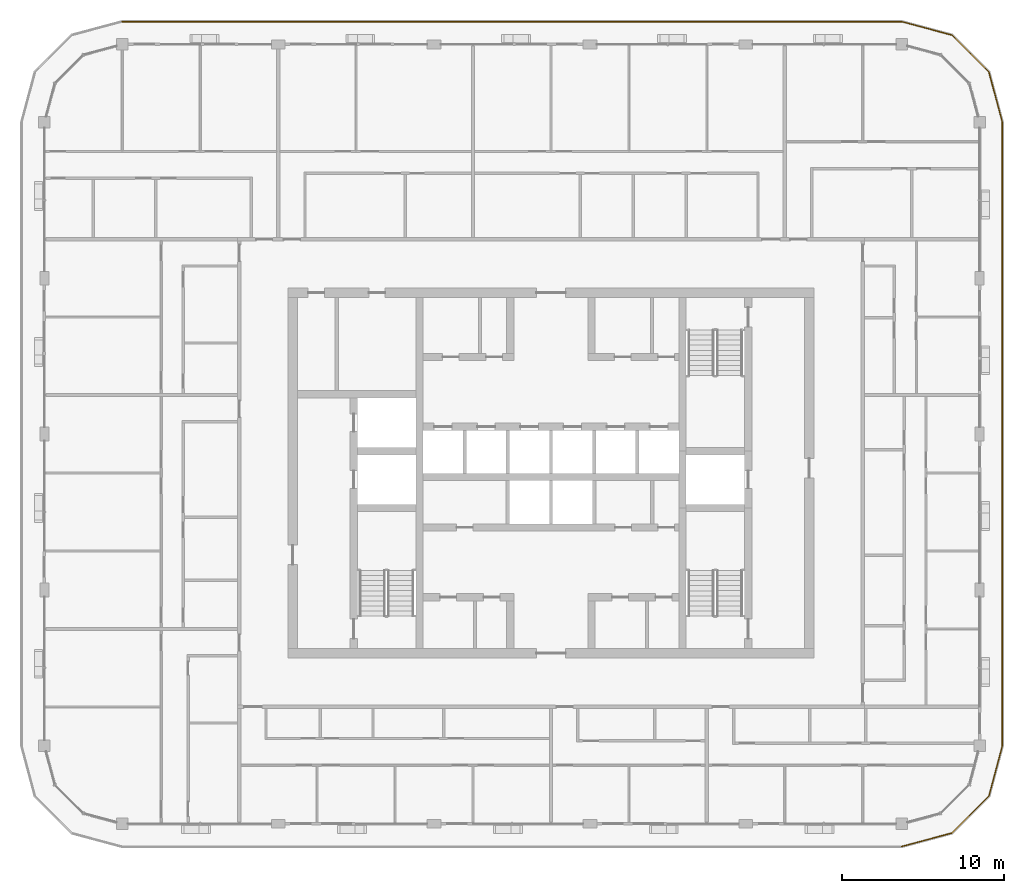
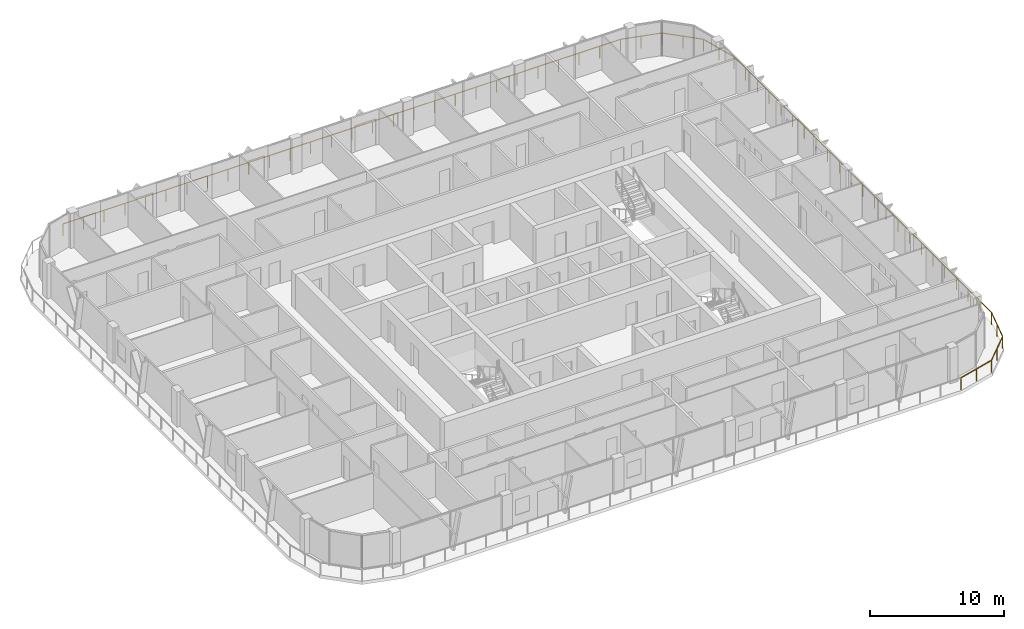
# One storey, part 19 of 21: 1 railing.
"""IFC4 building model written with IfcOpenShell, lengths in metres."""

from ifc_helpers import new_model, si_unit, direction, frame, origin, origin_2d, place, context, subcontext, project, spatial, circle, extrude, material, type_object, element, save


model = new_model("IFC4")

# Units and contexts
model_context = context("Model", 3, precision=1e-05, world=origin(), true_north=direction((0.0, 1.0)))
body_context = subcontext(model_context, "Body", "Model", "MODEL_VIEW")
ifc_project = project(units=[si_unit("LENGTHUNIT", "METRE"), si_unit("AREAUNIT", "SQUARE_METRE"), si_unit("VOLUMEUNIT", "CUBIC_METRE"), si_unit("PLANEANGLEUNIT", "RADIAN"), si_unit("MASSUNIT", "GRAM", prefix="KILO")], contexts=[model_context])

# Site, building, storey
site_placement = place(None, origin())
site = spatial("IfcSite", under=ifc_project, at=site_placement, CompositionType="ELEMENT")
building_placement = place(site_placement, origin())
building = spatial("IfcBuilding", under=site, at=building_placement, Name="Madar Terraces", CompositionType="ELEMENT")
storey_placement = place(building_placement, frame((0.0, 0.0, 238.699951171875)))
storey = spatial("IfcBuildingStorey", under=building, at=storey_placement, Name="L62", CompositionType="ELEMENT", Elevation=238.699951171875)

# Railing
ifc_material = material(Name="Glass, safety glazing, with stainless steel posts", Category="steel")
railing_type = type_object("IfcRailingType", Name="Balcony glass guard 1100", PredefinedType="GUARDRAIL", material=ifc_material)
railing_placement = place(storey_placement, frame((52.800048828125, 3.39990234375, 0.0)))
element("IfcRailing", 1, at=railing_placement, inside=storey, type_object=railing_type, Name="Balcony guard", PredefinedType="GUARDRAIL", context=body_context, shape_type="SweptSolid", body=[
    extrude(circle(Radius=0.02392578125, at=origin_2d()), frame((0.0, 0.0, 1.076171875), z_axis=(0.965909675762, 0.25887931217, 0.0), x_axis=(-0.25887931217, 0.965909675762, 0.0)), (0.0, 0.0, 1.0), 3.209228515625),
    extrude(circle(Radius=0.02392578125, at=origin_2d()), frame((3.099853515625, 0.830810546875, 1.076171875), z_axis=(0.707144815061, 0.707068745266, 0.0), x_axis=(-0.707068745266, 0.707144815061, 0.0)), (0.0, 0.0, 1.0), 3.20947265625),
    extrude(circle(Radius=0.02392578125, at=origin_2d()), frame((5.369384765625, 3.10009765625, 1.076171875), z_axis=(0.258789317819, 0.9659337912, 0.0), x_axis=(-0.9659337912, 0.258789317819, 0.0)), (0.0, 0.0, 1.0), 3.20947265625),
    extrude(circle(Radius=0.02392578125, at=origin_2d()), frame((6.199951171875, 6.2001953125, 1.076171875), z_axis=(0.0, 1.0, 0.0), x_axis=(-1.0, 0.0, 0.0)), (0.0, 0.0, 1.0), 38.39990234375),
    extrude(circle(Radius=0.02392578125, at=origin_2d()), frame((6.199951171875, 44.60009765625, 1.076171875), z_axis=(-0.258789317819, 0.9659337912, 0.0), x_axis=(-0.9659337912, -0.258789317819, 0.0)), (0.0, 0.0, 1.0), 3.20947265625),
    extrude(circle(Radius=0.02392578125, at=origin_2d()), frame((5.369384765625, 47.7001953125, 1.076171875), z_axis=(-0.707144815061, 0.707068745266, 0.0), x_axis=(-0.707068745266, -0.707144815061, 0.0)), (0.0, 0.0, 1.0), 3.20947265625),
    extrude(circle(Radius=0.02392578125, at=origin_2d()), frame((3.099853515625, 49.969482421875, 1.076171875), z_axis=(-0.965928696102, 0.258808334578, 0.0), x_axis=(-0.258808334578, -0.965928696102, 0.0)), (0.0, 0.0, 1.0), 3.209228515625),
    extrude(circle(Radius=0.02392578125, at=origin_2d()), frame((0.0, 50.800048828125, 1.076171875), z_axis=(-1.0, 0.0, 0.0), x_axis=(0.0, -1.0, 0.0)), (0.0, 0.0, 1.0), 48.0),
    extrude(circle(Radius=0.02099609375, at=origin_2d()), origin(), (0.0, 0.0, 1.0), 1.052001953125),
    extrude(circle(Radius=0.02099609375, at=origin_2d()), frame((1.5498046875, 0.41552734375, 0.0)), (0.0, 0.0, 1.0), 1.052001953125),
    extrude(circle(Radius=0.02099609375, at=origin_2d()), frame((3.099853515625, 0.830810546875, 0.0)), (0.0, 0.0, 1.0), 1.052001953125),
    extrude(circle(Radius=0.02099609375, at=origin_2d()), frame((4.234619140625, 1.96533203125, 0.0)), (0.0, 0.0, 1.0), 1.052001953125),
    extrude(circle(Radius=0.02099609375, at=origin_2d()), frame((5.369384765625, 3.10009765625, 0.0)), (0.0, 0.0, 1.0), 1.052001953125),
    extrude(circle(Radius=0.02099609375, at=origin_2d()), frame((5.78466796875, 4.650146484375, 0.0)), (0.0, 0.0, 1.0), 1.052001953125),
    extrude(circle(Radius=0.02099609375, at=origin_2d()), frame((6.199951171875, 6.2001953125, 0.0)), (0.0, 0.0, 1.0), 1.052001953125),
    extrude(circle(Radius=0.02099609375, at=origin_2d()), frame((6.199951171875, 7.945556640625, 0.0)), (0.0, 0.0, 1.0), 1.052001953125),
    extrude(circle(Radius=0.02099609375, at=origin_2d()), frame((6.199951171875, 9.691162109375, 0.0)), (0.0, 0.0, 1.0), 1.052001953125),
    extrude(circle(Radius=0.02099609375, at=origin_2d()), frame((6.199951171875, 11.4365234375, 0.0)), (0.0, 0.0, 1.0), 1.052001953125),
    extrude(circle(Radius=0.02099609375, at=origin_2d()), frame((6.199951171875, 13.181884765625, 0.0)), (0.0, 0.0, 1.0), 1.052001953125),
    extrude(circle(Radius=0.02099609375, at=origin_2d()), frame((6.199951171875, 14.927490234375, 0.0)), (0.0, 0.0, 1.0), 1.052001953125),
    extrude(circle(Radius=0.02099609375, at=origin_2d()), frame((6.199951171875, 16.6728515625, 0.0)), (0.0, 0.0, 1.0), 1.052001953125),
    extrude(circle(Radius=0.02099609375, at=origin_2d()), frame((6.199951171875, 18.41845703125, 0.0)), (0.0, 0.0, 1.0), 1.052001953125),
    extrude(circle(Radius=0.02099609375, at=origin_2d()), frame((6.199951171875, 20.163818359375, 0.0)), (0.0, 0.0, 1.0), 1.052001953125),
    extrude(circle(Radius=0.02099609375, at=origin_2d()), frame((6.199951171875, 21.9091796875, 0.0)), (0.0, 0.0, 1.0), 1.052001953125),
    extrude(circle(Radius=0.02099609375, at=origin_2d()), frame((6.199951171875, 23.65478515625, 0.0)), (0.0, 0.0, 1.0), 1.052001953125),
    extrude(circle(Radius=0.02099609375, at=origin_2d()), frame((6.199951171875, 25.400146484375, 0.0)), (0.0, 0.0, 1.0), 1.052001953125),
    extrude(circle(Radius=0.02099609375, at=origin_2d()), frame((6.199951171875, 27.1455078125, 0.0)), (0.0, 0.0, 1.0), 1.052001953125),
    extrude(circle(Radius=0.02099609375, at=origin_2d()), frame((6.199951171875, 28.89111328125, 0.0)), (0.0, 0.0, 1.0), 1.052001953125),
    extrude(circle(Radius=0.02099609375, at=origin_2d()), frame((6.199951171875, 30.636474609375, 0.0)), (0.0, 0.0, 1.0), 1.052001953125),
    extrude(circle(Radius=0.02099609375, at=origin_2d()), frame((6.199951171875, 32.3818359375, 0.0)), (0.0, 0.0, 1.0), 1.052001953125),
    extrude(circle(Radius=0.02099609375, at=origin_2d()), frame((6.199951171875, 34.12744140625, 0.0)), (0.0, 0.0, 1.0), 1.052001953125),
    extrude(circle(Radius=0.02099609375, at=origin_2d()), frame((6.199951171875, 35.872802734375, 0.0)), (0.0, 0.0, 1.0), 1.052001953125),
    extrude(circle(Radius=0.02099609375, at=origin_2d()), frame((6.199951171875, 37.618408203125, 0.0)), (0.0, 0.0, 1.0), 1.052001953125),
    extrude(circle(Radius=0.02099609375, at=origin_2d()), frame((6.199951171875, 39.36376953125, 0.0)), (0.0, 0.0, 1.0), 1.052001953125),
    extrude(circle(Radius=0.02099609375, at=origin_2d()), frame((6.199951171875, 41.109130859375, 0.0)), (0.0, 0.0, 1.0), 1.052001953125),
    extrude(circle(Radius=0.02099609375, at=origin_2d()), frame((6.199951171875, 42.854736328125, 0.0)), (0.0, 0.0, 1.0), 1.052001953125),
    extrude(circle(Radius=0.02099609375, at=origin_2d()), frame((6.199951171875, 44.60009765625, 0.0)), (0.0, 0.0, 1.0), 1.052001953125),
    extrude(circle(Radius=0.02099609375, at=origin_2d()), frame((5.78466796875, 46.150146484375, 0.0)), (0.0, 0.0, 1.0), 1.052001953125),
    extrude(circle(Radius=0.02099609375, at=origin_2d()), frame((5.369384765625, 47.7001953125, 0.0)), (0.0, 0.0, 1.0), 1.052001953125),
    extrude(circle(Radius=0.02099609375, at=origin_2d()), frame((4.234619140625, 48.8349609375, 0.0)), (0.0, 0.0, 1.0), 1.052001953125),
    extrude(circle(Radius=0.02099609375, at=origin_2d()), frame((3.099853515625, 49.969482421875, 0.0)), (0.0, 0.0, 1.0), 1.052001953125),
    extrude(circle(Radius=0.02099609375, at=origin_2d()), frame((1.5498046875, 50.384765625, 0.0)), (0.0, 0.0, 1.0), 1.052001953125),
    extrude(circle(Radius=0.02099609375, at=origin_2d()), frame((0.0, 50.800048828125, 0.0)), (0.0, 0.0, 1.0), 1.052001953125),
    extrude(circle(Radius=0.02099609375, at=origin_2d()), frame((-1.77783203125, 50.800048828125, 0.0)), (0.0, 0.0, 1.0), 1.052001953125),
    extrude(circle(Radius=0.02099609375, at=origin_2d()), frame((-3.5556640625, 50.800048828125, 0.0)), (0.0, 0.0, 1.0), 1.052001953125),
    extrude(circle(Radius=0.02099609375, at=origin_2d()), frame((-5.333251953125, 50.800048828125, 0.0)), (0.0, 0.0, 1.0), 1.052001953125),
    extrude(circle(Radius=0.02099609375, at=origin_2d()), frame((-7.111083984375, 50.800048828125, 0.0)), (0.0, 0.0, 1.0), 1.052001953125),
    extrude(circle(Radius=0.02099609375, at=origin_2d()), frame((-8.888916015625, 50.800048828125, 0.0)), (0.0, 0.0, 1.0), 1.052001953125),
    extrude(circle(Radius=0.02099609375, at=origin_2d()), frame((-10.666748046875, 50.800048828125, 0.0)), (0.0, 0.0, 1.0), 1.052001953125),
    extrude(circle(Radius=0.02099609375, at=origin_2d()), frame((-12.4443359375, 50.800048828125, 0.0)), (0.0, 0.0, 1.0), 1.052001953125),
    extrude(circle(Radius=0.02099609375, at=origin_2d()), frame((-14.22216796875, 50.800048828125, 0.0)), (0.0, 0.0, 1.0), 1.052001953125),
    extrude(circle(Radius=0.02099609375, at=origin_2d()), frame((-16.0, 50.800048828125, 0.0)), (0.0, 0.0, 1.0), 1.052001953125),
    extrude(circle(Radius=0.02099609375, at=origin_2d()), frame((-17.77783203125, 50.800048828125, 0.0)), (0.0, 0.0, 1.0), 1.052001953125),
    extrude(circle(Radius=0.02099609375, at=origin_2d()), frame((-19.5556640625, 50.800048828125, 0.0)), (0.0, 0.0, 1.0), 1.052001953125),
    extrude(circle(Radius=0.02099609375, at=origin_2d()), frame((-21.333251953125, 50.800048828125, 0.0)), (0.0, 0.0, 1.0), 1.052001953125),
    extrude(circle(Radius=0.02099609375, at=origin_2d()), frame((-23.111083984375, 50.800048828125, 0.0)), (0.0, 0.0, 1.0), 1.052001953125),
    extrude(circle(Radius=0.02099609375, at=origin_2d()), frame((-24.888916015625, 50.800048828125, 0.0)), (0.0, 0.0, 1.0), 1.052001953125),
    extrude(circle(Radius=0.02099609375, at=origin_2d()), frame((-26.666748046875, 50.800048828125, 0.0)), (0.0, 0.0, 1.0), 1.052001953125),
    extrude(circle(Radius=0.02099609375, at=origin_2d()), frame((-28.4443359375, 50.800048828125, 0.0)), (0.0, 0.0, 1.0), 1.052001953125),
    extrude(circle(Radius=0.02099609375, at=origin_2d()), frame((-30.22216796875, 50.800048828125, 0.0)), (0.0, 0.0, 1.0), 1.052001953125),
    extrude(circle(Radius=0.02099609375, at=origin_2d()), frame((-32.0, 50.800048828125, 0.0)), (0.0, 0.0, 1.0), 1.052001953125),
    extrude(circle(Radius=0.02099609375, at=origin_2d()), frame((-33.77783203125, 50.800048828125, 0.0)), (0.0, 0.0, 1.0), 1.052001953125),
    extrude(circle(Radius=0.02099609375, at=origin_2d()), frame((-35.5556640625, 50.800048828125, 0.0)), (0.0, 0.0, 1.0), 1.052001953125),
    extrude(circle(Radius=0.02099609375, at=origin_2d()), frame((-37.333251953125, 50.800048828125, 0.0)), (0.0, 0.0, 1.0), 1.052001953125),
    extrude(circle(Radius=0.02099609375, at=origin_2d()), frame((-39.111083984375, 50.800048828125, 0.0)), (0.0, 0.0, 1.0), 1.052001953125),
    extrude(circle(Radius=0.02099609375, at=origin_2d()), frame((-40.888916015625, 50.800048828125, 0.0)), (0.0, 0.0, 1.0), 1.052001953125),
    extrude(circle(Radius=0.02099609375, at=origin_2d()), frame((-42.666748046875, 50.800048828125, 0.0)), (0.0, 0.0, 1.0), 1.052001953125),
    extrude(circle(Radius=0.02099609375, at=origin_2d()), frame((-44.4443359375, 50.800048828125, 0.0)), (0.0, 0.0, 1.0), 1.052001953125),
    extrude(circle(Radius=0.02099609375, at=origin_2d()), frame((-46.22216796875, 50.800048828125, 0.0)), (0.0, 0.0, 1.0), 1.052001953125),
    extrude(circle(Radius=0.02099609375, at=origin_2d()), frame((-48.0, 50.800048828125, 0.0)), (0.0, 0.0, 1.0), 1.052001953125),
])

save(model, "model.ifc")
